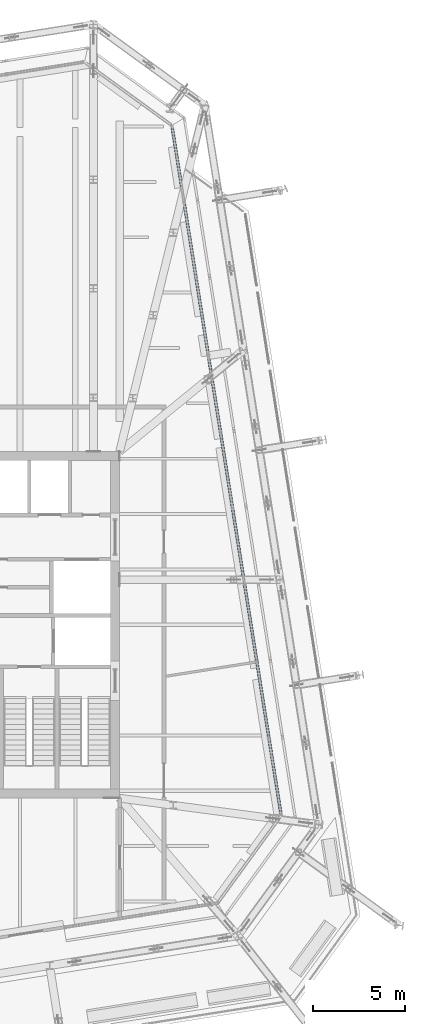
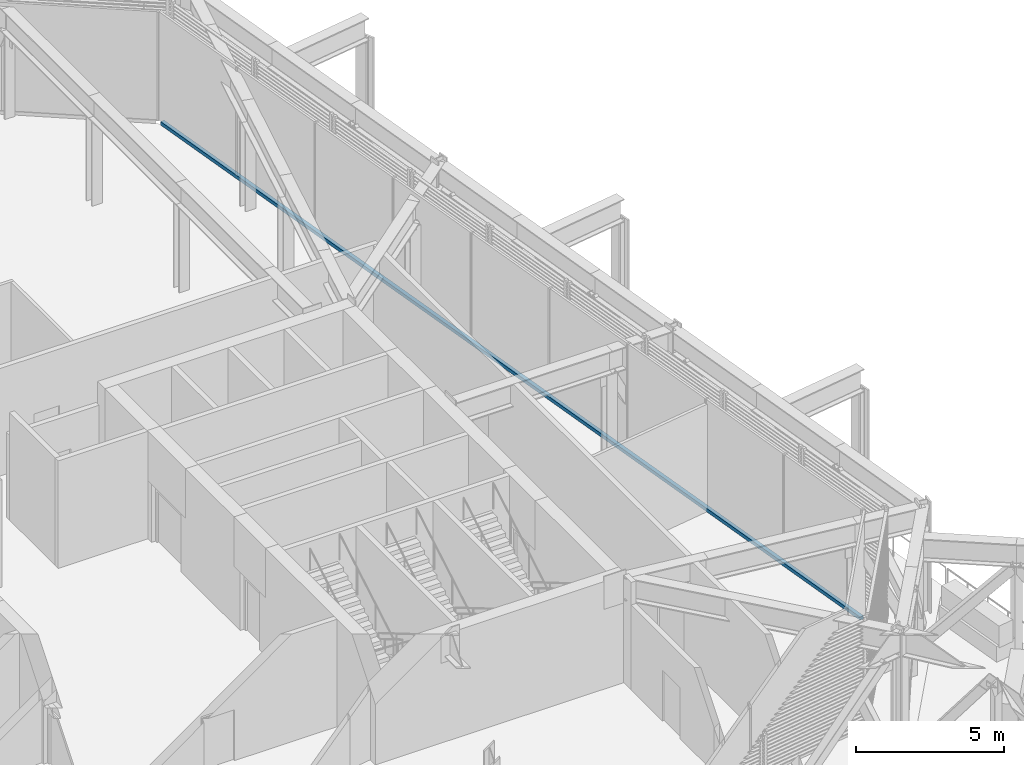
# One storey, part 17 of 35: 1 member, 1 element without a shape of its own.
"""IFC4 building model written with IfcOpenShell, lengths in metres."""

import ifcopenshell
import ifcopenshell.guid

model = None  # the IFC model being written
_history = None  # IfcOwnerHistory: only IFC2X3 demands one
_inside = {}  # id of a spatial element -> (the spatial element, [elements in it])
_under = {}  # id of a project, library or spatial element -> (it, [spatial elements below it])
_declared = {}  # id of a project -> (the project, [libraries it declares])
_typed = {}  # id of a type object -> (the type object, [elements of that type])
_made_of = {}  # id of a material, layer set ... -> (it, [elements and type objects made of it])


def new_model(schema):
    """Start an empty IFC model of exactly this schema.

    Asked for "IFC4X3", IfcOpenShell would pick the latest addendum, in which some entities
    have other attributes; the version numbers below select the first issue.
    IFC2X3 requires an IfcOwnerHistory on every rooted entity: one is made here for all.
    """
    global model, _history
    if schema == "IFC4X3":
        model = ifcopenshell.file(schema_version=(4, 3, 0, 0))
    else:
        model = ifcopenshell.file(schema=schema)
    _inside.clear()
    _under.clear()
    _declared.clear()
    _typed.clear()
    _made_of.clear()
    _history = None
    if model.schema == "IFC2X3":
        org = make("IfcOrganization", Name="unknown")
        user = make(
            "IfcPersonAndOrganization",
            ThePerson=make("IfcPerson", FamilyName="unknown"),
            TheOrganization=org,
        )
        app = make(
            "IfcApplication",
            ApplicationDeveloper=org,
            Version="unknown",
            ApplicationFullName="unknown",
            ApplicationIdentifier="unknown",
        )
        _history = make(
            "IfcOwnerHistory",
            OwningUser=user,
            OwningApplication=app,
            ChangeAction="ADDED",
            CreationDate=0,
        )
    return model


def make(cls, **values):
    """One entity of the class cls with the attributes given. An attribute that is None is left unset."""
    return model.create_entity(
        cls, **{name: value for name, value in values.items() if value is not None}
    )


def rooted(cls, **values):
    """An entity with a GlobalId (a new one), such as an element, a storey or a relation."""
    return make(cls, GlobalId=ifcopenshell.guid.new(), OwnerHistory=_history, **values)


def si_unit(unit_type, name, prefix=None):
    """IfcSIUnit, for example si_unit("LENGTHUNIT", "METRE", prefix="MILLI")."""
    return make("IfcSIUnit", UnitType=unit_type, Prefix=prefix, Name=name)


def assignment(units):
    """IfcUnitAssignment: the units of a project."""
    return None if units is None else make("IfcUnitAssignment", Units=units)


def point(xyz):
    """IfcCartesianPoint."""
    return None if xyz is None else make("IfcCartesianPoint", Coordinates=xyz)


def direction(xyz):
    """IfcDirection."""
    return None if xyz is None else make("IfcDirection", DirectionRatios=xyz)


def frame(location, z_axis=None, x_axis=None):
    """IfcAxis2Placement3D, a coordinate frame: its origin and axes. An axis left out is left unset."""
    return make(
        "IfcAxis2Placement3D",
        Location=point(location),
        Axis=direction(z_axis),
        RefDirection=direction(x_axis),
    )


def frame_2d(location, x_axis=None):
    """IfcAxis2Placement2D, a coordinate frame in the plane: its origin and x axis."""
    return make(
        "IfcAxis2Placement2D", Location=point(location), RefDirection=direction(x_axis)
    )


def origin():
    """The frame at (0, 0, 0) with its axes left unset."""
    return frame((0.0, 0.0, 0.0))


def origin_2d():
    """The frame at (0, 0) in the plane with its x axis left unset."""
    return frame_2d((0.0, 0.0))


def place(relative_to, where):
    """IfcLocalPlacement: puts the frame where relative to a parent placement (None: the world)."""
    return make(
        "IfcLocalPlacement", PlacementRelTo=relative_to, RelativePlacement=where
    )


def context(
    kind, dimensions, precision=None, world=None, true_north=None, identifier=None
):
    """IfcGeometricRepresentationContext, for example the 3D "Model" context."""
    return make(
        "IfcGeometricRepresentationContext",
        ContextIdentifier=identifier,
        ContextType=kind,
        CoordinateSpaceDimension=dimensions,
        Precision=precision,
        WorldCoordinateSystem=world,
        TrueNorth=true_north,
    )


def subcontext(parent, identifier, kind, view, scale=None):
    """IfcGeometricRepresentationSubContext, for example "Body" below "Model"."""
    return make(
        "IfcGeometricRepresentationSubContext",
        ContextIdentifier=identifier,
        ContextType=kind,
        ParentContext=parent,
        TargetScale=scale,
        TargetView=view,
    )


def project(units=None, contexts=None):
    """IfcProject with its units and contexts."""
    return rooted(
        "IfcProject",
        Name="project",
        RepresentationContexts=contexts,
        UnitsInContext=assignment(units),
    )


def spatial(cls, under=None, at=None, **own):
    """A site, building, storey or space (cls), placed at a placement, below another one or the project."""
    s = rooted(cls, ObjectPlacement=at, **own)
    if under is not None:
        _under.setdefault(under.id(), (under, []))[1].append(s)
    return s


def profile(cls, at=None, kind="AREA", **sizes):
    """A parametric profile (cls). Its sizes go by their IFC names, for example OverallWidth=200.0."""
    return make(cls, ProfileType=kind, Position=at, **sizes)


def rectangle(**sizes):
    """IfcRectangleProfileDef."""
    return profile("IfcRectangleProfileDef", **sizes)


def extrude(swept, where, along, depth):
    """IfcExtrudedAreaSolid: the profile swept, set in the frame where, extruded along a direction by depth."""
    return make(
        "IfcExtrudedAreaSolid",
        SweptArea=swept,
        Position=where,
        ExtrudedDirection=direction(along),
        Depth=depth,
    )


def shape(context_of_items, identifier, shape_type, items):
    """IfcShapeRepresentation: the items that make up one representation, for example the "Body"."""
    return make(
        "IfcShapeRepresentation",
        ContextOfItems=context_of_items,
        RepresentationIdentifier=identifier,
        RepresentationType=shape_type,
        Items=items,
    )


def material(Name=None, Category=None):
    """IfcMaterial."""
    return make("IfcMaterial", Name=Name, Category=Category)


def layer(
    of_material, thickness, ventilated=None, Name=None, Category=None, Priority=None
):
    """IfcMaterialLayer: one layer of a wall or slab, of a material (None: an air gap)."""
    return make(
        "IfcMaterialLayer",
        Material=of_material,
        LayerThickness=thickness,
        IsVentilated=ventilated,
        Name=Name,
        Category=Category,
        Priority=Priority,
    )


def layer_set(layers, Name=None):
    """IfcMaterialLayerSet."""
    return make("IfcMaterialLayerSet", MaterialLayers=layers, LayerSetName=Name)


def material_profile(
    of_material, cross_section, Name=None, Category=None, Priority=None
):
    """IfcMaterialProfile: a cross section and its material."""
    return make(
        "IfcMaterialProfile",
        Name=Name,
        Material=of_material,
        Profile=cross_section,
        Priority=Priority,
        Category=Category,
    )


def profile_set(profiles, Name=None, composite=None):
    """IfcMaterialProfileSet."""
    return make(
        "IfcMaterialProfileSet",
        Name=Name,
        MaterialProfiles=profiles,
        CompositeProfile=composite,
    )


def made_of(thing, what):
    """Note that an element or type object is made of a material, layer set ...; save() writes the relation."""
    if what is not None:
        _made_of.setdefault(what.id(), (what, []))[1].append(thing)
    return thing


def type_object(cls, material=None, **own):
    """A type object (cls), such as IfcWallType, which elements share."""
    return made_of(rooted(cls, **own), material)


def element(
    cls,
    number,
    at=None,
    inside=None,
    cuts=None,
    type_object=None,
    material=None,
    context=None,
    identifier="Body",
    shape_type=None,
    held_by="IfcProductDefinitionShape",
    body=None,
    shapes=None,
    **own,
):
    """One element of the class cls, such as IfcWall. Its Tag is "e" and its number.

    at: its placement. inside: the storey or other place that contains it. cuts: it is an
    opening in that element (IfcRelVoidsElement). A single representation is given by context,
    identifier, shape_type and body (its items); several are given by shapes. held_by: the class
    of the entity that holds the representations. save() writes the other relations.
    """
    e = rooted(cls, Tag="e%d" % number, ObjectPlacement=at, **own)
    if body is not None:
        shapes = [shape(context, identifier, shape_type, body)]
    if shapes is not None:
        e.Representation = make(held_by, Representations=shapes)
    if inside is not None:
        _inside.setdefault(inside.id(), (inside, []))[1].append(e)
    if cuts is not None:
        rooted(
            "IfcRelVoidsElement", RelatingBuildingElement=cuts, RelatedOpeningElement=e
        )
    if type_object is not None:
        _typed.setdefault(type_object.id(), (type_object, []))[1].append(e)
    return made_of(e, material)


def aggregate(whole, parts):
    """IfcRelAggregates: a whole, such as a stair, and the parts it consists of."""
    return rooted("IfcRelAggregates", RelatingObject=whole, RelatedObjects=parts)


def save(model, path):
    """Write the relations noted so far, then the file.

    IfcRelAggregates (storeys below a building ...), IfcRelContainedInSpatialStructure (elements
    in a storey), IfcRelDefinesByType, IfcRelAssociatesMaterial and IfcRelDeclares: one each for
    every whole, place, type object, material and project.
    """
    for whole, parts in _under.values():
        aggregate(whole, parts)
    for where, things in _inside.values():
        rooted(
            "IfcRelContainedInSpatialStructure",
            RelatedElements=things,
            RelatingStructure=where,
        )
    for kind, things in _typed.values():
        rooted("IfcRelDefinesByType", RelatedObjects=things, RelatingType=kind)
    for what, things in _made_of.values():
        rooted("IfcRelAssociatesMaterial", RelatedObjects=things, RelatingMaterial=what)
    for by, libraries in _declared.values():
        rooted("IfcRelDeclares", RelatingContext=by, RelatedDefinitions=libraries)
    model.write(path)


model = new_model("IFC4")

# Units and contexts
model_context = context("Model", 3, precision=1e-05, world=origin(), true_north=direction((0.0, 1.0)))
body_context = subcontext(model_context, "Body", "Model", "MODEL_VIEW")
ifc_project = project(units=[si_unit("LENGTHUNIT", "METRE"), si_unit("AREAUNIT", "SQUARE_METRE"), si_unit("VOLUMEUNIT", "CUBIC_METRE"), si_unit("PLANEANGLEUNIT", "RADIAN"), si_unit("MASSUNIT", "GRAM", prefix="KILO")], contexts=[model_context])

# Site, building, storey
site_placement = place(None, origin())
site = spatial("IfcSite", under=ifc_project, at=site_placement, CompositionType="ELEMENT")
building_placement = place(site_placement, origin())
building = spatial("IfcBuilding", under=site, at=building_placement, Name="Millrace Tower", CompositionType="ELEMENT")
storey_placement = place(building_placement, frame((0.0, 0.0, 200.10009765625)))
storey = spatial("IfcBuildingStorey", under=building, at=storey_placement, Name="L45", CompositionType="ELEMENT", Elevation=200.10009765625)

# Curtain wall, member
ifc_material_1 = material(Name="Aluminium and glass", Category="aluminium")
ifc_layer = layer(ifc_material_1, 0.14990234375)
ifc_layer_set = layer_set([ifc_layer], Name="Aluminium and glass")
curtain_wall_type = type_object("IfcCurtainWallType", Name="CW-5 truss and plant storey louvred infill", PredefinedType="NOTDEFINED", material=ifc_layer_set)
curtain_wall_placement = place(storey_placement, origin())
curtain_wall = element("IfcCurtainWall", 1, at=curtain_wall_placement, inside=storey, type_object=curtain_wall_type, Name="Curtain wall D-F04 L45", PredefinedType="NOTDEFINED")
ifc_material_2 = material(Name="Aluminium", Category="aluminium")
ifc_material_profile = material_profile(ifc_material_2, rectangle(XDim=0.14990234375, YDim=0.139892578125, at=origin_2d()))
ifc_profile_set = profile_set([ifc_material_profile], Name="Aluminium")
member_type = type_object("IfcMemberType", Name="CW-5 truss and plant storey louvred infill transom", PredefinedType="USERDEFINED", material=ifc_profile_set)
member_placement = place(storey_placement, frame((23.1318359375, -10.208740234375, 0.06982421875), z_axis=(-0.156432359726, 0.987688674042, 0.0), x_axis=(-0.987688674042, -0.156432359726, 0.0)))
member = element("IfcMember", 2, at=member_placement, type_object=member_type, Name="CW5 transom D-F04.1", ObjectType="TRANSOM", PredefinedType="USERDEFINED", context=body_context, shape_type="SweptSolid", body=[
    extrude(rectangle(XDim=0.14990234375, YDim=0.139892578125, at=origin_2d()), origin(), (0.0, 0.0, 1.0), 37.599853515625),
])
aggregate(curtain_wall, [member])

save(model, "model.ifc")
